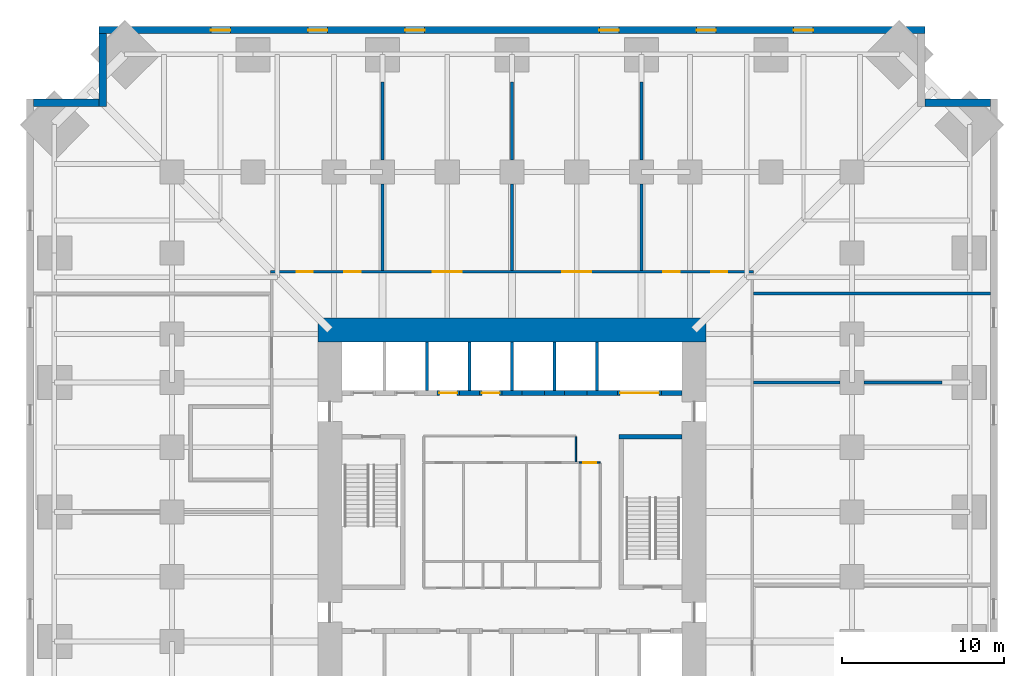
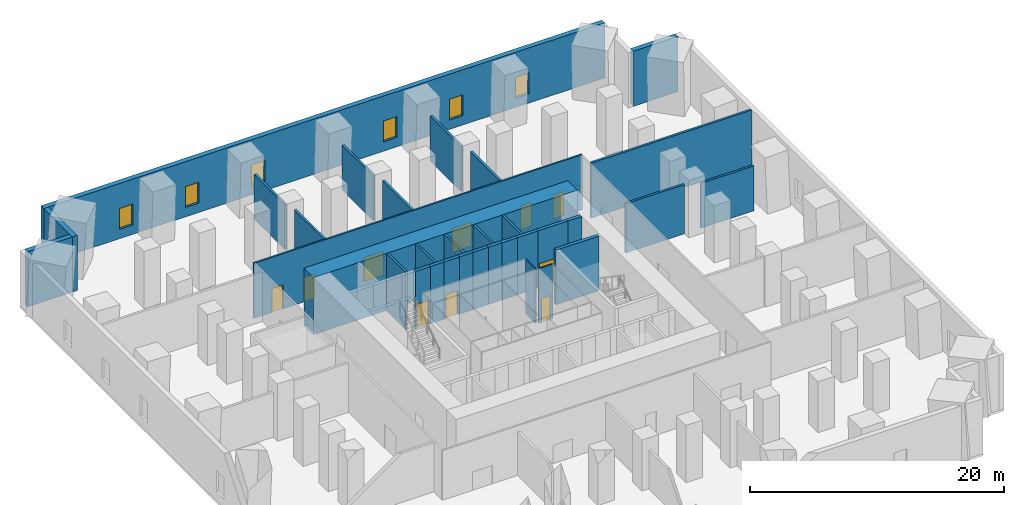
# One storey, part 6 of 8: 33 walls, 10 doors, 6 windows, 16 openings.
"""IFC4 building model written with IfcOpenShell, lengths in metres."""

from ifc_helpers import new_model, si_unit, direction, frame, frame_2d, origin, place, context, subcontext, project, spatial, rectangle, extrude, material, layer, layer_set, type_object, element, fill, save


model = new_model("IFC4")

# Units and contexts
model_context = context("Model", 3, precision=1e-05, world=origin(), true_north=direction((0.0, 1.0)))
body_context = subcontext(model_context, "Body", "Model", "MODEL_VIEW")
ifc_project = project(units=[si_unit("LENGTHUNIT", "METRE"), si_unit("AREAUNIT", "SQUARE_METRE"), si_unit("VOLUMEUNIT", "CUBIC_METRE"), si_unit("PLANEANGLEUNIT", "RADIAN"), si_unit("MASSUNIT", "GRAM", prefix="KILO")], contexts=[model_context])

# Site, building, storey
site_placement = place(None, origin())
site = spatial("IfcSite", under=ifc_project, at=site_placement, CompositionType="ELEMENT")
building_placement = place(site_placement, origin())
building = spatial("IfcBuilding", under=site, at=building_placement, Name="Peilmerk Tower", CompositionType="ELEMENT")
storey_placement = place(building_placement, frame((0.0, 0.0, 65.0)))
storey = spatial("IfcBuildingStorey", under=building, at=storey_placement, Name="L12", CompositionType="ELEMENT", Elevation=65.0)

# Wall, openings, windows
ifc_material_1 = material(Name="Precast concrete C45/55, board-marked finish", Category="concrete")
ifc_layer_1 = layer(ifc_material_1, 0.449951171875)
ifc_layer_set_1 = layer_set([ifc_layer_1], Name="Precast concrete C45/55, board-marked finish")
wall_type_1 = type_object("IfcWallType", Name="EW1 450 precast concrete facade wall, board-marked", PredefinedType="SOLIDWALL", material=ifc_layer_set_1)
wall_1_placement = place(storey_placement, frame((25.5, 29.77490234375, 0.0), z_axis=(0.0, 0.0, 1.0), x_axis=(-1.0, 0.0, 0.0)))
wall_1 = element("IfcWall", 1, at=wall_1_placement, inside=storey, type_object=wall_type_1, Name="Facade wall N L12", PredefinedType="SOLIDWALL", context=body_context, shape_type="SweptSolid", body=[
    extrude(rectangle(XDim=51.0, YDim=0.449951171875, at=frame_2d((25.5, 0.0))), origin(), (0.0, 0.0, 1.0), 5.300048828125),
])
opening_1_placement = place(wall_1_placement, frame((6.89990234375, 0.0, 0.89990234375)))
opening_1 = element("IfcOpeningElement", 2, at=opening_1_placement, cuts=wall_1, Name="Opening W2", PredefinedType="OPENING", context=body_context, shape_type="SweptSolid", body=[
    extrude(rectangle(XDim=1.199951171875, YDim=2.0, at=frame_2d((0.60009765625, 1.0))), frame((0.0, 0.23486328125, 0.0), z_axis=(0.0, -1.0, 0.0), x_axis=(1.0, 0.0, 0.0)), (0.0, 0.0, 1.0), 0.469970703125),
])
opening_2_placement = place(wall_1_placement, frame((12.89990234375, 0.0, 0.89990234375)))
opening_2 = element("IfcOpeningElement", 3, at=opening_2_placement, cuts=wall_1, Name="Opening W2", PredefinedType="OPENING", context=body_context, shape_type="SweptSolid", body=[
    extrude(rectangle(XDim=1.199951171875, YDim=2.0, at=frame_2d((0.60009765625, 1.0))), frame((0.0, 0.23486328125, 0.0), z_axis=(0.0, -1.0, 0.0), x_axis=(1.0, 0.0, 0.0)), (0.0, 0.0, 1.0), 0.469970703125),
])
opening_3_placement = place(wall_1_placement, frame((18.89990234375, 0.0, 0.89990234375)))
opening_3 = element("IfcOpeningElement", 4, at=opening_3_placement, cuts=wall_1, Name="Opening W2", PredefinedType="OPENING", context=body_context, shape_type="SweptSolid", body=[
    extrude(rectangle(XDim=1.199951171875, YDim=2.0, at=frame_2d((0.60009765625, 1.0))), frame((0.0, 0.23486328125, 0.0), z_axis=(0.0, -1.0, 0.0), x_axis=(1.0, 0.0, 0.0)), (0.0, 0.0, 1.0), 0.469970703125),
])
opening_4_placement = place(wall_1_placement, frame((30.89990234375, 0.0, 0.89990234375)))
opening_4 = element("IfcOpeningElement", 5, at=opening_4_placement, cuts=wall_1, Name="Opening W2", PredefinedType="OPENING", context=body_context, shape_type="SweptSolid", body=[
    extrude(rectangle(XDim=1.199951171875, YDim=2.0, at=frame_2d((0.60009765625, 1.0))), frame((0.0, 0.23486328125, 0.0), z_axis=(0.0, -1.0, 0.0), x_axis=(1.0, 0.0, 0.0)), (0.0, 0.0, 1.0), 0.469970703125),
])
opening_5_placement = place(wall_1_placement, frame((36.89990234375, 0.0, 0.89990234375)))
opening_5 = element("IfcOpeningElement", 6, at=opening_5_placement, cuts=wall_1, Name="Opening W2", PredefinedType="OPENING", context=body_context, shape_type="SweptSolid", body=[
    extrude(rectangle(XDim=1.199951171875, YDim=2.0, at=frame_2d((0.60009765625, 1.0))), frame((0.0, 0.23486328125, 0.0), z_axis=(0.0, -1.0, 0.0), x_axis=(1.0, 0.0, 0.0)), (0.0, 0.0, 1.0), 0.469970703125),
])
opening_6_placement = place(wall_1_placement, frame((42.89990234375, 0.0, 0.89990234375)))
opening_6 = element("IfcOpeningElement", 7, at=opening_6_placement, cuts=wall_1, Name="Opening W2", PredefinedType="OPENING", context=body_context, shape_type="SweptSolid", body=[
    extrude(rectangle(XDim=1.199951171875, YDim=2.0, at=frame_2d((0.60009765625, 1.0))), frame((0.0, 0.23486328125, 0.0), z_axis=(0.0, -1.0, 0.0), x_axis=(1.0, 0.0, 0.0)), (0.0, 0.0, 1.0), 0.469970703125),
])
ifc_material_2 = material(Name="Aluminium frame, clear double glazing", Category="aluminium")
window_type = type_object("IfcWindowType", Name="W2 1200x2000 data hall slot window", PartitioningType="SINGLE_PANEL", PredefinedType="WINDOW", material=ifc_material_2)
window_1_placement = place(opening_1_placement, origin())
window_1 = element("IfcWindow", 8, at=window_1_placement, inside=storey, type_object=window_type, Name="Window W2 L12", OverallHeight=2.0, OverallWidth=1.199951171875, PartitioningType="SINGLE_PANEL", PredefinedType="WINDOW", context=body_context, shape_type="SweptSolid", body=[
    extrude(rectangle(XDim=1.199951171875, YDim=2.0, at=frame_2d((0.60009765625, 1.0))), frame((0.0, 0.030029296875, 0.0), z_axis=(0.0, -1.0, 0.0), x_axis=(1.0, 0.0, 0.0)), (0.0, 0.0, 1.0), 0.06005859375),
])
fill(opening_1, window_1)
window_2_placement = place(opening_2_placement, origin())
window_2 = element("IfcWindow", 9, at=window_2_placement, inside=storey, type_object=window_type, Name="Window W2 L12", OverallHeight=2.0, OverallWidth=1.199951171875, PartitioningType="SINGLE_PANEL", PredefinedType="WINDOW", context=body_context, shape_type="SweptSolid", body=[
    extrude(rectangle(XDim=1.199951171875, YDim=2.0, at=frame_2d((0.60009765625, 1.0))), frame((0.0, 0.030029296875, 0.0), z_axis=(0.0, -1.0, 0.0), x_axis=(1.0, 0.0, 0.0)), (0.0, 0.0, 1.0), 0.06005859375),
])
fill(opening_2, window_2)
window_3_placement = place(opening_3_placement, origin())
window_3 = element("IfcWindow", 10, at=window_3_placement, inside=storey, type_object=window_type, Name="Window W2 L12", OverallHeight=2.0, OverallWidth=1.199951171875, PartitioningType="SINGLE_PANEL", PredefinedType="WINDOW", context=body_context, shape_type="SweptSolid", body=[
    extrude(rectangle(XDim=1.199951171875, YDim=2.0, at=frame_2d((0.60009765625, 1.0))), frame((0.0, 0.030029296875, 0.0), z_axis=(0.0, -1.0, 0.0), x_axis=(1.0, 0.0, 0.0)), (0.0, 0.0, 1.0), 0.06005859375),
])
fill(opening_3, window_3)
window_4_placement = place(opening_4_placement, origin())
window_4 = element("IfcWindow", 11, at=window_4_placement, inside=storey, type_object=window_type, Name="Window W2 L12", OverallHeight=2.0, OverallWidth=1.199951171875, PartitioningType="SINGLE_PANEL", PredefinedType="WINDOW", context=body_context, shape_type="SweptSolid", body=[
    extrude(rectangle(XDim=1.199951171875, YDim=2.0, at=frame_2d((0.60009765625, 1.0))), frame((0.0, 0.030029296875, 0.0), z_axis=(0.0, -1.0, 0.0), x_axis=(1.0, 0.0, 0.0)), (0.0, 0.0, 1.0), 0.06005859375),
])
fill(opening_4, window_4)
window_5_placement = place(opening_5_placement, origin())
window_5 = element("IfcWindow", 12, at=window_5_placement, inside=storey, type_object=window_type, Name="Window W2 L12", OverallHeight=2.0, OverallWidth=1.199951171875, PartitioningType="SINGLE_PANEL", PredefinedType="WINDOW", context=body_context, shape_type="SweptSolid", body=[
    extrude(rectangle(XDim=1.199951171875, YDim=2.0, at=frame_2d((0.60009765625, 1.0))), frame((0.0, 0.030029296875, 0.0), z_axis=(0.0, -1.0, 0.0), x_axis=(1.0, 0.0, 0.0)), (0.0, 0.0, 1.0), 0.06005859375),
])
fill(opening_5, window_5)
window_6_placement = place(opening_6_placement, origin())
window_6 = element("IfcWindow", 13, at=window_6_placement, inside=storey, type_object=window_type, Name="Window W2 L12", OverallHeight=2.0, OverallWidth=1.199951171875, PartitioningType="SINGLE_PANEL", PredefinedType="WINDOW", context=body_context, shape_type="SweptSolid", body=[
    extrude(rectangle(XDim=1.199951171875, YDim=2.0, at=frame_2d((0.60009765625, 1.0))), frame((0.0, 0.030029296875, 0.0), z_axis=(0.0, -1.0, 0.0), x_axis=(1.0, 0.0, 0.0)), (0.0, 0.0, 1.0), 0.06005859375),
])
fill(opening_6, window_6)

# Walls
wall_2_placement = place(storey_placement, frame((25.5, 25.27490234375, 0.0), z_axis=(0.0, 0.0, 1.0), x_axis=(1.0, 0.0, 0.0)))
element("IfcWall", 14, at=wall_2_placement, inside=storey, type_object=wall_type_1, Name="Facade wall NEB L12", PredefinedType="SOLIDWALL", context=body_context, shape_type="SweptSolid", body=[
    extrude(rectangle(XDim=4.050048828125, YDim=0.449951171875, at=frame_2d((2.02490234375, 0.0))), origin(), (0.0, 0.0, 1.0), 5.300048828125),
])
wall_3_placement = place(storey_placement, frame((-25.27490234375, 25.050048828125, 0.0), z_axis=(0.0, 0.0, 1.0), x_axis=(0.0, 1.0, 0.0)))
element("IfcWall", 15, at=wall_3_placement, inside=storey, type_object=wall_type_1, Name="Facade wall NWA L12", PredefinedType="SOLIDWALL", context=body_context, shape_type="SweptSolid", body=[
    extrude(rectangle(XDim=4.5, YDim=0.449951171875, at=frame_2d((2.25, 0.0))), origin(), (0.0, 0.0, 1.0), 5.300048828125),
])
wall_4_placement = place(storey_placement, frame((-25.5, 25.27490234375, 0.0), z_axis=(0.0, 0.0, 1.0), x_axis=(-1.0, 0.0, 0.0)))
element("IfcWall", 16, at=wall_4_placement, inside=storey, type_object=wall_type_1, Name="Facade wall NWB L12", PredefinedType="SOLIDWALL", context=body_context, shape_type="SweptSolid", body=[
    extrude(rectangle(XDim=4.050048828125, YDim=0.449951171875, at=frame_2d((2.02490234375, 0.0))), origin(), (0.0, 0.0, 1.0), 5.300048828125),
])

# Wall, openings, doors
ifc_material_3 = material(Name="Calcium silicate block", Category="masonry")
ifc_layer_2 = layer(ifc_material_3, 0.14990234375)
ifc_layer_set_2 = layer_set([ifc_layer_2], Name="Calcium silicate block")
wall_type_2 = type_object("IfcWallType", Name="IW1 150 corridor partition, EI 60", PredefinedType="PARTITIONING", material=ifc_layer_set_2)
wall_5_placement = place(storey_placement, frame((-14.925048828125, 14.85009765625, 0.0), z_axis=(0.0, 0.0, 1.0), x_axis=(1.0, 0.0, 0.0)))
wall_5 = element("IfcWall", 17, at=wall_5_placement, inside=storey, type_object=wall_type_2, Name="Corridor wall N L12", PredefinedType="PARTITIONING", context=body_context, shape_type="SweptSolid", body=[
    extrude(rectangle(XDim=29.85009765625, YDim=0.14990234375, at=frame_2d((14.925048828125, 0.0))), origin(), (0.0, 0.0, 1.0), 5.300048828125),
])
opening_7_placement = place(wall_5_placement, frame((1.625, 0.0, 0.0)))
opening_7 = element("IfcOpeningElement", 18, at=opening_7_placement, cuts=wall_5, Name="Opening D1", PredefinedType="OPENING", context=body_context, shape_type="SweptSolid", body=[
    extrude(rectangle(XDim=1.0, YDim=2.300048828125, at=frame_2d((0.5, 1.14990234375))), frame((0.0, 0.0849609375, 0.0), z_axis=(0.0, -1.0, 0.0), x_axis=(1.0, 0.0, 0.0)), (0.0, 0.0, 1.0), 0.169921875),
])
opening_8_placement = place(wall_5_placement, frame((4.574951171875, 0.0, 0.0)))
opening_8 = element("IfcOpeningElement", 19, at=opening_8_placement, cuts=wall_5, Name="Opening D1", PredefinedType="OPENING", context=body_context, shape_type="SweptSolid", body=[
    extrude(rectangle(XDim=1.0, YDim=2.300048828125, at=frame_2d((0.5, 1.14990234375))), frame((0.0, 0.0849609375, 0.0), z_axis=(0.0, -1.0, 0.0), x_axis=(1.0, 0.0, 0.0)), (0.0, 0.0, 1.0), 0.169921875),
])
opening_9_placement = place(wall_5_placement, frame((10.02490234375, 0.0, 0.0)))
opening_9 = element("IfcOpeningElement", 20, at=opening_9_placement, cuts=wall_5, Name="Opening D2", PredefinedType="OPENING", context=body_context, shape_type="SweptSolid", body=[
    extrude(rectangle(XDim=1.800048828125, YDim=2.300048828125, at=frame_2d((0.89990234375, 1.14990234375))), frame((0.0, 0.0849609375, 0.0), z_axis=(0.0, -1.0, 0.0), x_axis=(1.0, 0.0, 0.0)), (0.0, 0.0, 1.0), 0.169921875),
])
opening_10_placement = place(wall_5_placement, frame((18.02490234375, 0.0, 0.0)))
opening_10 = element("IfcOpeningElement", 21, at=opening_10_placement, cuts=wall_5, Name="Opening D2", PredefinedType="OPENING", context=body_context, shape_type="SweptSolid", body=[
    extrude(rectangle(XDim=1.800048828125, YDim=2.300048828125, at=frame_2d((0.89990234375, 1.14990234375))), frame((0.0, 0.0849609375, 0.0), z_axis=(0.0, -1.0, 0.0), x_axis=(1.0, 0.0, 0.0)), (0.0, 0.0, 1.0), 0.169921875),
])
opening_11_placement = place(wall_5_placement, frame((24.27490234375, 0.0, 0.0)))
opening_11 = element("IfcOpeningElement", 22, at=opening_11_placement, cuts=wall_5, Name="Opening D1", PredefinedType="OPENING", context=body_context, shape_type="SweptSolid", body=[
    extrude(rectangle(XDim=1.0, YDim=2.300048828125, at=frame_2d((0.5, 1.14990234375))), frame((0.0, 0.0849609375, 0.0), z_axis=(0.0, -1.0, 0.0), x_axis=(1.0, 0.0, 0.0)), (0.0, 0.0, 1.0), 0.169921875),
])
opening_12_placement = place(wall_5_placement, frame((27.22509765625, 0.0, 0.0)))
opening_12 = element("IfcOpeningElement", 23, at=opening_12_placement, cuts=wall_5, Name="Opening D1", PredefinedType="OPENING", context=body_context, shape_type="SweptSolid", body=[
    extrude(rectangle(XDim=1.0, YDim=2.300048828125, at=frame_2d((0.5, 1.14990234375))), frame((0.0, 0.0849609375, 0.0), z_axis=(0.0, -1.0, 0.0), x_axis=(1.0, 0.0, 0.0)), (0.0, 0.0, 1.0), 0.169921875),
])
ifc_material_4 = material(Name="Timber door in steel frame", Category="steel")
door_type_1 = type_object("IfcDoorType", Name="D1 1000x2300 room door, EI2 30", OperationType="SINGLE_SWING_LEFT", PredefinedType="DOOR", material=ifc_material_4)
door_1_placement = place(opening_7_placement, origin())
door_1 = element("IfcDoor", 24, at=door_1_placement, inside=storey, type_object=door_type_1, Name="Door High-density computer room A L12", OperationType="SINGLE_SWING_LEFT", OverallHeight=2.300048828125, OverallWidth=1.0, PredefinedType="DOOR", context=body_context, shape_type="SweptSolid", body=[
    extrude(rectangle(XDim=1.0, YDim=2.300048828125, at=frame_2d((0.5, 1.14990234375))), frame((0.0, 0.02490234375, 0.0), z_axis=(0.0, -1.0, 0.0), x_axis=(1.0, 0.0, 0.0)), (0.0, 0.0, 1.0), 0.050048828125),
])
fill(opening_7, door_1)
door_2_placement = place(opening_8_placement, origin())
door_2 = element("IfcDoor", 25, at=door_2_placement, inside=storey, type_object=door_type_1, Name="Door High-density computer room A L12", OperationType="SINGLE_SWING_LEFT", OverallHeight=2.300048828125, OverallWidth=1.0, PredefinedType="DOOR", context=body_context, shape_type="SweptSolid", body=[
    extrude(rectangle(XDim=1.0, YDim=2.300048828125, at=frame_2d((0.5, 1.14990234375))), frame((0.0, 0.02490234375, 0.0), z_axis=(0.0, -1.0, 0.0), x_axis=(1.0, 0.0, 0.0)), (0.0, 0.0, 1.0), 0.050048828125),
])
fill(opening_8, door_2)
door_3_placement = place(opening_11_placement, origin())
door_3 = element("IfcDoor", 26, at=door_3_placement, inside=storey, type_object=door_type_1, Name="Door High-density computer room B L12", OperationType="SINGLE_SWING_LEFT", OverallHeight=2.300048828125, OverallWidth=1.0, PredefinedType="DOOR", context=body_context, shape_type="SweptSolid", body=[
    extrude(rectangle(XDim=1.0, YDim=2.300048828125, at=frame_2d((0.5, 1.14990234375))), frame((0.0, 0.02490234375, 0.0), z_axis=(0.0, -1.0, 0.0), x_axis=(1.0, 0.0, 0.0)), (0.0, 0.0, 1.0), 0.050048828125),
])
fill(opening_11, door_3)
door_4_placement = place(opening_12_placement, origin())
door_4 = element("IfcDoor", 27, at=door_4_placement, inside=storey, type_object=door_type_1, Name="Door High-density computer room B L12", OperationType="SINGLE_SWING_LEFT", OverallHeight=2.300048828125, OverallWidth=1.0, PredefinedType="DOOR", context=body_context, shape_type="SweptSolid", body=[
    extrude(rectangle(XDim=1.0, YDim=2.300048828125, at=frame_2d((0.5, 1.14990234375))), frame((0.0, 0.02490234375, 0.0), z_axis=(0.0, -1.0, 0.0), x_axis=(1.0, 0.0, 0.0)), (0.0, 0.0, 1.0), 0.050048828125),
])
fill(opening_12, door_4)
ifc_material_5 = material(Name="Steel door in steel frame", Category="steel")
door_type_2 = type_object("IfcDoorType", Name="D2 1800x2300 double door, EI2 60", OperationType="DOUBLE_DOOR_DOUBLE_SWING", PredefinedType="DOOR", material=ifc_material_5)
door_5_placement = place(opening_9_placement, origin())
door_5 = element("IfcDoor", 28, at=door_5_placement, inside=storey, type_object=door_type_2, Name="Door Coolant distribution room A L12", OperationType="DOUBLE_DOOR_DOUBLE_SWING", OverallHeight=2.300048828125, OverallWidth=1.800048828125, PredefinedType="DOOR", context=body_context, shape_type="SweptSolid", body=[
    extrude(rectangle(XDim=1.800048828125, YDim=2.300048828125, at=frame_2d((0.89990234375, 1.14990234375))), frame((0.0, 0.02490234375, 0.0), z_axis=(0.0, -1.0, 0.0), x_axis=(1.0, 0.0, 0.0)), (0.0, 0.0, 1.0), 0.050048828125),
])
fill(opening_9, door_5)
door_6_placement = place(opening_10_placement, origin())
door_6 = element("IfcDoor", 29, at=door_6_placement, inside=storey, type_object=door_type_2, Name="Door Coolant distribution room B L12", OperationType="DOUBLE_DOOR_DOUBLE_SWING", OverallHeight=2.300048828125, OverallWidth=1.800048828125, PredefinedType="DOOR", context=body_context, shape_type="SweptSolid", body=[
    extrude(rectangle(XDim=1.800048828125, YDim=2.300048828125, at=frame_2d((0.89990234375, 1.14990234375))), frame((0.0, 0.02490234375, 0.0), z_axis=(0.0, -1.0, 0.0), x_axis=(1.0, 0.0, 0.0)), (0.0, 0.0, 1.0), 0.050048828125),
])
fill(opening_10, door_6)

# Walls
ifc_layer_3 = layer(ifc_material_3, 0.199951171875)
ifc_layer_set_3 = layer_set([ifc_layer_3], Name="Calcium silicate block")
wall_type_3 = type_object("IfcWallType", Name="IW2 200 room separating wall, EI 120", PredefinedType="PARTITIONING", material=ifc_layer_set_3)
wall_6_placement = place(storey_placement, frame((14.925048828125, 13.5, 0.0), z_axis=(0.0, 0.0, 1.0), x_axis=(1.0, 0.0, 0.0)))
element("IfcWall", 30, at=wall_6_placement, inside=storey, type_object=wall_type_3, Name="Room separating wall NE L12", PredefinedType="PARTITIONING", context=body_context, shape_type="SweptSolid", body=[
    extrude(rectangle(XDim=14.625, YDim=0.199951171875, at=frame_2d((7.3125, 0.0))), origin(), (0.0, 0.0, 1.0), 5.300048828125),
])
wall_7_placement = place(storey_placement, frame((-8.0, 14.925048828125, 0.0), z_axis=(0.0, 0.0, 1.0), x_axis=(0.0, 1.0, 0.0)))
element("IfcWall", 31, at=wall_7_placement, inside=storey, type_object=wall_type_3, Name="Room separating wall N1 L12", PredefinedType="PARTITIONING", context=body_context, shape_type="SweptSolid", body=[
    extrude(rectangle(XDim=5.324951171875, YDim=0.199951171875, at=frame_2d((2.66259765625, 0.0))), origin(), (0.0, 0.0, 1.0), 4.73095703125),
])
wall_8_placement = place(storey_placement, frame((-8.0, 21.75, 0.0), z_axis=(0.0, 0.0, 1.0), x_axis=(0.0, 1.0, 0.0)))
element("IfcWall", 32, at=wall_8_placement, inside=storey, type_object=wall_type_3, Name="Room separating wall N1b L12", PredefinedType="PARTITIONING", context=body_context, shape_type="SweptSolid", body=[
    extrude(rectangle(XDim=4.819091796875, YDim=0.199951171875, at=frame_2d((2.40966796875, 0.0))), origin(), (0.0, 0.0, 1.0), 4.31005859375),
])
wall_9_placement = place(storey_placement, frame((0.0, 14.925048828125, 0.0), z_axis=(0.0, 0.0, 1.0), x_axis=(0.0, 1.0, 0.0)))
element("IfcWall", 33, at=wall_9_placement, inside=storey, type_object=wall_type_3, Name="Room separating wall N2 L12", PredefinedType="PARTITIONING", context=body_context, shape_type="SweptSolid", body=[
    extrude(rectangle(XDim=5.324951171875, YDim=0.199951171875, at=frame_2d((2.66259765625, 0.0))), origin(), (0.0, 0.0, 1.0), 4.73095703125),
])
wall_10_placement = place(storey_placement, frame((0.0, 21.75, 0.0), z_axis=(0.0, 0.0, 1.0), x_axis=(0.0, 1.0, 0.0)))
element("IfcWall", 34, at=wall_10_placement, inside=storey, type_object=wall_type_3, Name="Room separating wall N2b L12", PredefinedType="PARTITIONING", context=body_context, shape_type="SweptSolid", body=[
    extrude(rectangle(XDim=4.819091796875, YDim=0.199951171875, at=frame_2d((2.40966796875, 0.0))), origin(), (0.0, 0.0, 1.0), 4.31005859375),
])
wall_11_placement = place(storey_placement, frame((8.0, 14.925048828125, 0.0), z_axis=(0.0, 0.0, 1.0), x_axis=(0.0, 1.0, 0.0)))
element("IfcWall", 35, at=wall_11_placement, inside=storey, type_object=wall_type_3, Name="Room separating wall N3 L12", PredefinedType="PARTITIONING", context=body_context, shape_type="SweptSolid", body=[
    extrude(rectangle(XDim=5.324951171875, YDim=0.199951171875, at=frame_2d((2.66259765625, 0.0))), origin(), (0.0, 0.0, 1.0), 4.73095703125),
])
wall_12_placement = place(storey_placement, frame((8.0, 21.75, 0.0), z_axis=(0.0, 0.0, 1.0), x_axis=(0.0, 1.0, 0.0)))
element("IfcWall", 36, at=wall_12_placement, inside=storey, type_object=wall_type_3, Name="Room separating wall N3b L12", PredefinedType="PARTITIONING", context=body_context, shape_type="SweptSolid", body=[
    extrude(rectangle(XDim=4.819091796875, YDim=0.199951171875, at=frame_2d((2.40966796875, 0.0))), origin(), (0.0, 0.0, 1.0), 4.31005859375),
])
wall_13_placement = place(storey_placement, frame((14.925048828125, 8.0, 0.0), z_axis=(0.0, 0.0, 1.0), x_axis=(1.0, 0.0, 0.0)))
element("IfcWall", 37, at=wall_13_placement, inside=storey, type_object=wall_type_3, Name="Room separating wall E2 L12", PredefinedType="PARTITIONING", context=body_context, shape_type="SweptSolid", body=[
    extrude(rectangle(XDim=5.324951171875, YDim=0.199951171875, at=frame_2d((2.66259765625, 0.0))), origin(), (0.0, 0.0, 1.0), 4.73095703125),
])
wall_14_placement = place(storey_placement, frame((21.75, 8.0, 0.0), z_axis=(0.0, 0.0, 1.0), x_axis=(1.0, 0.0, 0.0)))
element("IfcWall", 38, at=wall_14_placement, inside=storey, type_object=wall_type_3, Name="Room separating wall E2b L12", PredefinedType="PARTITIONING", context=body_context, shape_type="SweptSolid", body=[
    extrude(rectangle(XDim=4.819091796875, YDim=0.199951171875, at=frame_2d((2.40966796875, 0.0))), origin(), (0.0, 0.0, 1.0), 4.31005859375),
])
ifc_material_6 = material(Name="Concrete C35/45", Category="concrete")
ifc_layer_4 = layer(ifc_material_6, 0.300048828125)
ifc_layer_set_4 = layer_set([ifc_layer_4], Name="Concrete C35/45")
wall_type_4 = type_object("IfcWallType", Name="IW3 300 concrete stair enclosure wall, EI 120", PredefinedType="SOLIDWALL", material=ifc_layer_set_4)
wall_15_placement = place(storey_placement, frame((6.60009765625, 4.64990234375, 0.0), z_axis=(0.0, 0.0, 1.0), x_axis=(1.0, 0.0, 0.0)))
element("IfcWall", 39, at=wall_15_placement, inside=storey, type_object=wall_type_4, Name="Stair 2 enclosure L12", PredefinedType="SOLIDWALL", context=body_context, shape_type="SweptSolid", body=[
    extrude(rectangle(XDim=3.89990234375, YDim=0.300048828125, at=frame_2d((1.949951171875, 0.0))), origin(), (0.0, 0.0, 1.0), 5.25),
])

# Wall, opening, door
ifc_material_7 = material(Name="Calcium silicate board on steel studs", Category="steel")
ifc_layer_5 = layer(ifc_material_7, 0.10009765625)
ifc_layer_set_5 = layer_set([ifc_layer_5], Name="Calcium silicate board on steel studs")
wall_type_5 = type_object("IfcWallType", Name="IW5 100 riser enclosure wall, EI 60", PredefinedType="PARTITIONING", material=ifc_layer_set_5)
wall_16_placement = place(storey_placement, frame((4.14990234375, 3.050048828125, 0.0), z_axis=(0.0, 0.0, 1.0), x_axis=(1.0, 0.0, 0.0)))
wall_16 = element("IfcWall", 40, at=wall_16_placement, inside=storey, type_object=wall_type_5, Name="Riser wall L12", PredefinedType="PARTITIONING", context=body_context, shape_type="SweptSolid", body=[
    extrude(rectangle(XDim=1.300048828125, YDim=0.10009765625, at=frame_2d((0.64990234375, 0.0))), origin(), (0.0, 0.0, 1.0), 5.25),
])
opening_13_placement = place(wall_16_placement, frame((0.25, 0.0, 0.0)))
opening_13 = element("IfcOpeningElement", 41, at=opening_13_placement, cuts=wall_16, Name="Opening D7", PredefinedType="OPENING", context=body_context, shape_type="SweptSolid", body=[
    extrude(rectangle(XDim=0.800048828125, YDim=2.300048828125, at=frame_2d((0.39990234375, 1.14990234375))), frame((0.0, 0.06005859375, 0.0), z_axis=(0.0, -1.0, 0.0), x_axis=(1.0, 0.0, 0.0)), (0.0, 0.0, 1.0), 0.1201171875),
])
door_type_3 = type_object("IfcDoorType", Name="D7 800x2300 riser access door, EI2 60", OperationType="SINGLE_SWING_RIGHT", PredefinedType="DOOR", material=ifc_material_5)
door_7_placement = place(opening_13_placement, frame((0.800048828125, 0.0, 0.0), z_axis=(0.0, 0.0, 1.0), x_axis=(-1.0, 0.0, 0.0)))
door_7 = element("IfcDoor", 42, at=door_7_placement, inside=storey, type_object=door_type_3, Name="Plumbing riser door L12", OperationType="SINGLE_SWING_RIGHT", OverallHeight=2.300048828125, OverallWidth=0.800048828125, PredefinedType="DOOR", context=body_context, shape_type="SweptSolid", body=[
    extrude(rectangle(XDim=0.800048828125, YDim=2.300048828125, at=frame_2d((0.39990234375, 1.14990234375))), frame((0.0, 0.02490234375, 0.0), z_axis=(0.0, -1.0, 0.0), x_axis=(1.0, 0.0, 0.0)), (0.0, 0.0, 1.0), 0.050048828125),
])
fill(opening_13, door_7)

# Walls
ifc_material_8 = material(Name="Fire-resisting plasterboard on steel studs", Category="steel")
ifc_layer_6 = layer(ifc_material_8, 0.10009765625)
ifc_layer_set_6 = layer_set([ifc_layer_6], Name="Fire-resisting plasterboard on steel studs")
wall_type_6 = type_object("IfcWallType", Name="IW9 100 WC lobby wall, EI 30", PredefinedType="PARTITIONING", material=ifc_layer_set_6)
wall_17_placement = place(storey_placement, frame((3.949951171875, 3.10009765625, 0.0), z_axis=(0.0, 0.0, 1.0), x_axis=(0.0, 1.0, 0.0)))
element("IfcWall", 43, at=wall_17_placement, inside=storey, type_object=wall_type_6, Name="WC lobby wall L12", PredefinedType="PARTITIONING", context=body_context, shape_type="SweptSolid", body=[
    extrude(rectangle(XDim=1.5498046875, YDim=0.10009765625, at=frame_2d((0.77490234375, 0.0))), origin(), (0.0, 0.0, 1.0), 5.25),
])
ifc_layer_7 = layer(ifc_material_3, 0.199951171875)
ifc_layer_set_7 = layer_set([ifc_layer_7], Name="Calcium silicate block")
wall_type_7 = type_object("IfcWallType", Name="SH1 200 shaft dividing wall, EI 120", PredefinedType="PARTITIONING", material=ifc_layer_set_7)
for number, where, z_axis, x_axis, name in (
    (44, (-5.25, 7.5, 0.0), (0.0, 0.0, 1.0), (0.0, 1.0, 0.0), "Shaft wall N A1 L12"),
    (45, (-2.625, 7.5, 0.0), (0.0, 0.0, 1.0), (0.0, 1.0, 0.0), "Shaft wall N A2 L12"),
    (46, (0.0, 7.5, 0.0), (0.0, 0.0, 1.0), (0.0, 1.0, 0.0), "Shaft wall N A3 L12"),
    (47, (2.625, 7.5, 0.0), (0.0, 0.0, 1.0), (0.0, 1.0, 0.0), "Shaft wall N S1 L12"),
    (48, (5.25, 7.5, 0.0), (0.0, 0.0, 1.0), (0.0, 1.0, 0.0), "Shaft wall N S2 L12"),
):
    element("IfcWall", number, at=place(storey_placement, frame(where, z_axis=z_axis, x_axis=x_axis)), inside=storey, type_object=wall_type_7, Name=name, PredefinedType="PARTITIONING", context=body_context, shape_type="SweptSolid", body=[
        extrude(rectangle(XDim=3.0, YDim=0.199951171875, at=frame_2d((1.5, 0.0))), origin(), (0.0, 0.0, 1.0), 5.5),
    ])

# Wall, opening, door
ifc_layer_8 = layer(ifc_material_3, 0.300048828125)
ifc_layer_set_8 = layer_set([ifc_layer_8], Name="Calcium silicate block")
wall_type_8 = type_object("IfcWallType", Name="SH2 300 lift landing door panel, EI 120", PredefinedType="PARTITIONING", material=ifc_layer_set_8)
wall_18_placement = place(storey_placement, frame((-4.637451171875, 7.35009765625, 0.0), z_axis=(0.0, 0.0, 1.0), x_axis=(1.0, 0.0, 0.0)))
wall_18 = element("IfcWall", 49, at=wall_18_placement, inside=storey, type_object=wall_type_8, Name="Lift door panel N A2 L12", PredefinedType="PARTITIONING", context=body_context, shape_type="SweptSolid", body=[
    extrude(rectangle(XDim=1.39990234375, YDim=0.300048828125, at=frame_2d((0.699951171875, 0.0))), origin(), (0.0, 0.0, 1.0), 5.5),
])
opening_14_placement = place(wall_18_placement, frame((0.14990234375, 0.0, 0.0)))
opening_14 = element("IfcOpeningElement", 50, at=opening_14_placement, cuts=wall_18, Name="Opening LD1", PredefinedType="OPENING", context=body_context, shape_type="SweptSolid", body=[
    extrude(rectangle(XDim=1.10009765625, YDim=2.300048828125, at=frame_2d((0.550048828125, 1.14990234375))), frame((0.0, 0.159912109375, 0.0), z_axis=(0.0, -1.0, 0.0), x_axis=(1.0, 0.0, 0.0)), (0.0, 0.0, 1.0), 0.320068359375),
])
ifc_material_9 = material(Name="Stainless steel landing door", Category="steel")
door_type_4 = type_object("IfcDoorType", Name="LD1 1100x2300 lift landing door, sliding, EI2 60", OperationType="SLIDING_TO_LEFT", PredefinedType="DOOR", material=ifc_material_9)
door_8_placement = place(opening_14_placement, frame((1.10009765625, 0.0, 0.0), z_axis=(0.0, 0.0, 1.0), x_axis=(-1.0, 0.0, 0.0)))
door_8 = element("IfcDoor", 51, at=door_8_placement, inside=storey, type_object=door_type_4, Name="Lift landing door A2 L12", OperationType="SLIDING_TO_LEFT", OverallHeight=2.300048828125, OverallWidth=1.10009765625, PredefinedType="DOOR", context=body_context, shape_type="SweptSolid", body=[
    extrude(rectangle(XDim=1.10009765625, YDim=2.300048828125, at=frame_2d((0.550048828125, 1.14990234375))), frame((0.0, 0.02490234375, 0.0), z_axis=(0.0, -1.0, 0.0), x_axis=(1.0, 0.0, 0.0)), (0.0, 0.0, 1.0), 0.050048828125),
])
fill(opening_14, door_8)

wall_19_placement = place(storey_placement, frame((-2.012451171875, 7.35009765625, 0.0), z_axis=(0.0, 0.0, 1.0), x_axis=(1.0, 0.0, 0.0)))
wall_19 = element("IfcWall", 52, at=wall_19_placement, inside=storey, type_object=wall_type_8, Name="Lift door panel N A3 L12", PredefinedType="PARTITIONING", context=body_context, shape_type="SweptSolid", body=[
    extrude(rectangle(XDim=1.39990234375, YDim=0.300048828125, at=frame_2d((0.699951171875, 0.0))), origin(), (0.0, 0.0, 1.0), 5.5),
])
opening_15_placement = place(wall_19_placement, frame((0.14990234375, 0.0, 0.0)))
opening_15 = element("IfcOpeningElement", 53, at=opening_15_placement, cuts=wall_19, Name="Opening LD1", PredefinedType="OPENING", context=body_context, shape_type="SweptSolid", body=[
    extrude(rectangle(XDim=1.10009765625, YDim=2.300048828125, at=frame_2d((0.550048828125, 1.14990234375))), frame((0.0, 0.159912109375, 0.0), z_axis=(0.0, -1.0, 0.0), x_axis=(1.0, 0.0, 0.0)), (0.0, 0.0, 1.0), 0.320068359375),
])
door_9_placement = place(opening_15_placement, frame((1.10009765625, 0.0, 0.0), z_axis=(0.0, 0.0, 1.0), x_axis=(-1.0, 0.0, 0.0)))
door_9 = element("IfcDoor", 54, at=door_9_placement, inside=storey, type_object=door_type_4, Name="Lift landing door A3 L12", OperationType="SLIDING_TO_LEFT", OverallHeight=2.300048828125, OverallWidth=1.10009765625, PredefinedType="DOOR", context=body_context, shape_type="SweptSolid", body=[
    extrude(rectangle(XDim=1.10009765625, YDim=2.300048828125, at=frame_2d((0.550048828125, 1.14990234375))), frame((0.0, 0.02490234375, 0.0), z_axis=(0.0, -1.0, 0.0), x_axis=(1.0, 0.0, 0.0)), (0.0, 0.0, 1.0), 0.050048828125),
])
fill(opening_15, door_9)

# Walls
for number, where, z_axis, x_axis, name in (
    (55, (0.612548828125, 7.35009765625, 0.0), (0.0, 0.0, 1.0), (1.0, 0.0, 0.0), "Lift door panel N S1 L12"),
    (56, (3.237548828125, 7.35009765625, 0.0), (0.0, 0.0, 1.0), (1.0, 0.0, 0.0), "Lift door panel N S2 L12"),
):
    element("IfcWall", number, at=place(storey_placement, frame(where, z_axis=z_axis, x_axis=x_axis)), inside=storey, type_object=wall_type_8, Name=name, PredefinedType="PARTITIONING", context=body_context, shape_type="SweptSolid", body=[
        extrude(rectangle(XDim=1.39990234375, YDim=0.300048828125, at=frame_2d((0.699951171875, 0.0))), origin(), (0.0, 0.0, 1.0), 5.5),
    ])

# Wall, opening, door
wall_20_placement = place(storey_placement, frame((6.52490234375, 7.35009765625, 0.0), z_axis=(0.0, 0.0, 1.0), x_axis=(1.0, 0.0, 0.0)))
wall_20 = element("IfcWall", 57, at=wall_20_placement, inside=storey, type_object=wall_type_8, Name="Lift door panel N GL1 L12", PredefinedType="PARTITIONING", context=body_context, shape_type="SweptSolid", body=[
    extrude(rectangle(XDim=2.7001953125, YDim=0.300048828125, at=frame_2d((1.35009765625, 0.0))), origin(), (0.0, 0.0, 1.0), 5.5),
])
opening_16_placement = place(wall_20_placement, frame((0.14990234375, 0.0, 0.0)))
opening_16 = element("IfcOpeningElement", 58, at=opening_16_placement, cuts=wall_20, Name="Opening LD3", PredefinedType="OPENING", context=body_context, shape_type="SweptSolid", body=[
    extrude(rectangle(XDim=2.39990234375, YDim=2.300048828125, at=frame_2d((1.199951171875, 1.14990234375))), frame((0.0, 0.159912109375, 0.0), z_axis=(0.0, -1.0, 0.0), x_axis=(1.0, 0.0, 0.0)), (0.0, 0.0, 1.0), 0.320068359375),
])
door_type_5 = type_object("IfcDoorType", Name="LD3 2400x2300 lift landing door, sliding, EI2 60", OperationType="SLIDING_TO_LEFT", PredefinedType="DOOR", material=ifc_material_9)
door_10_placement = place(opening_16_placement, frame((2.39990234375, 0.0, 0.0), z_axis=(0.0, 0.0, 1.0), x_axis=(-1.0, 0.0, 0.0)))
door_10 = element("IfcDoor", 59, at=door_10_placement, inside=storey, type_object=door_type_5, Name="Lift landing door GL1 L12", OperationType="SLIDING_TO_LEFT", OverallHeight=2.300048828125, OverallWidth=2.39990234375, PredefinedType="DOOR", context=body_context, shape_type="SweptSolid", body=[
    extrude(rectangle(XDim=2.39990234375, YDim=2.300048828125, at=frame_2d((1.199951171875, 1.14990234375))), frame((0.0, 0.02490234375, 0.0), z_axis=(0.0, -1.0, 0.0), x_axis=(1.0, 0.0, 0.0)), (0.0, 0.0, 1.0), 0.050048828125),
])
fill(opening_16, door_10)

# Walls
ifc_material_10 = material(Name="Concrete C55/67", Category="concrete")
ifc_layer_9 = layer(ifc_material_10, 1.5)
ifc_layer_set_9 = layer_set([ifc_layer_9], Name="Concrete C55/67")
wall_type_9 = type_object("IfcWallType", Name="SW1 1500 core wall", PredefinedType="SHEAR", material=ifc_layer_set_9)
wall_21_placement = place(storey_placement, frame((-12.0, 11.25, 0.0), z_axis=(0.0, 0.0, 1.0), x_axis=(1.0, 0.0, 0.0)))
element("IfcWall", 60, at=wall_21_placement, inside=storey, type_object=wall_type_9, Name="Core wall N L12", PredefinedType="SHEAR", context=body_context, shape_type="SweptSolid", body=[
    extrude(rectangle(XDim=24.0, YDim=1.5, at=frame_2d((12.0, 0.0))), origin(), (0.0, 0.0, 1.0), 5.5),
])
ifc_layer_10 = layer(ifc_material_10, 0.300048828125)
ifc_layer_set_10 = layer_set([ifc_layer_10], Name="Concrete C55/67")
wall_type_10 = type_object("IfcWallType", Name="SW2 300 lift bank pier", PredefinedType="SHEAR", material=ifc_layer_set_10)
for number, where, z_axis, x_axis, name in (
    (61, (-3.237548828125, 7.35009765625, 0.0), (0.0, 0.0, 1.0), (1.0, 0.0, 0.0), "Lift bank pier N L12"),
    (62, (-0.612548828125, 7.35009765625, 0.0), (0.0, 0.0, 1.0), (1.0, 0.0, 0.0), "Lift bank pier N L12"),
    (63, (2.012451171875, 7.35009765625, 0.0), (0.0, 0.0, 1.0), (1.0, 0.0, 0.0), "Lift bank pier N L12"),
):
    element("IfcWall", number, at=place(storey_placement, frame(where, z_axis=z_axis, x_axis=x_axis)), inside=storey, type_object=wall_type_10, Name=name, PredefinedType="SHEAR", context=body_context, shape_type="SweptSolid", body=[
        extrude(rectangle(XDim=1.22509765625, YDim=0.300048828125, at=frame_2d((0.612548828125, 0.0))), origin(), (0.0, 0.0, 1.0), 5.5),
    ])
wall_22_placement = place(storey_placement, frame((4.637451171875, 7.35009765625, 0.0), z_axis=(0.0, 0.0, 1.0), x_axis=(1.0, 0.0, 0.0)))
element("IfcWall", 64, at=wall_22_placement, inside=storey, type_object=wall_type_10, Name="Lift bank pier N L12", PredefinedType="SHEAR", context=body_context, shape_type="SweptSolid", body=[
    extrude(rectangle(XDim=1.887451171875, YDim=0.300048828125, at=frame_2d((0.94384765625, 0.0))), origin(), (0.0, 0.0, 1.0), 5.5),
])
wall_23_placement = place(storey_placement, frame((9.22509765625, 7.35009765625, 0.0), z_axis=(0.0, 0.0, 1.0), x_axis=(1.0, 0.0, 0.0)))
element("IfcWall", 65, at=wall_23_placement, inside=storey, type_object=wall_type_10, Name="Lift bank pier N L12", PredefinedType="SHEAR", context=body_context, shape_type="SweptSolid", body=[
    extrude(rectangle(XDim=1.27490234375, YDim=0.300048828125, at=frame_2d((0.637451171875, 0.0))), origin(), (0.0, 0.0, 1.0), 5.5),
])

save(model, "model.ifc")
